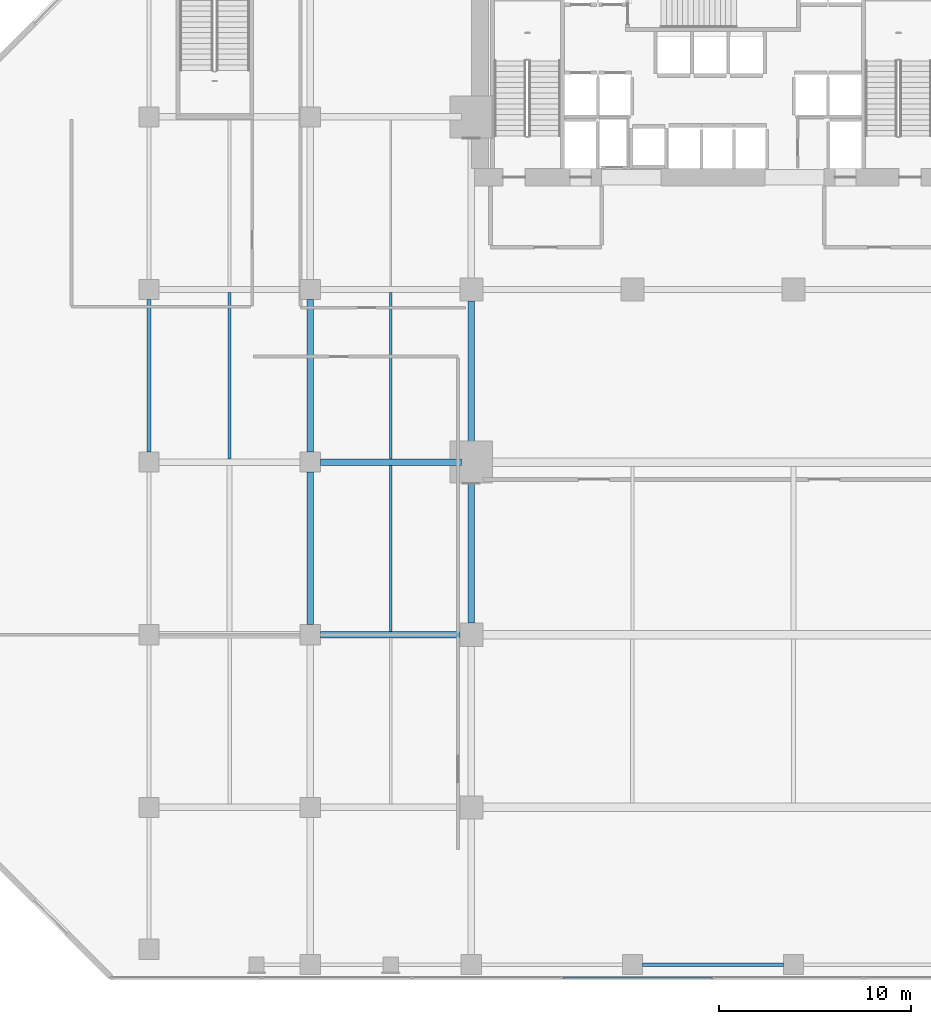
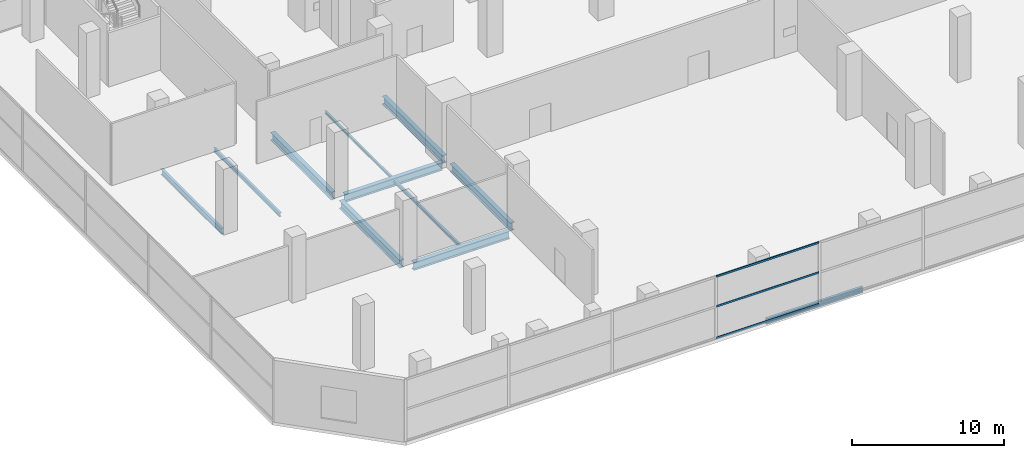
# One storey, part 12 of 40: 11 beams, 3 members, 1 element without a shape of its own.
"""IFC4 building model written with IfcOpenShell, lengths in metres."""

from ifc_helpers import new_model, si_unit, direction, frame, origin, origin_2d, place, context, subcontext, project, spatial, hollow_rectangle, i_section, extrude, material, layer, layer_set, material_profile, profile_set, type_object, element, aggregate, save


model = new_model("IFC4")

# Units and contexts
model_context = context("Model", 3, precision=1e-05, world=origin(), true_north=direction((0.0, 1.0)))
body_context = subcontext(model_context, "Body", "Model", "MODEL_VIEW")
ifc_project = project(units=[si_unit("LENGTHUNIT", "METRE"), si_unit("AREAUNIT", "SQUARE_METRE"), si_unit("VOLUMEUNIT", "CUBIC_METRE"), si_unit("PLANEANGLEUNIT", "RADIAN"), si_unit("MASSUNIT", "GRAM", prefix="KILO")], contexts=[model_context])

# Site, building, storey
site_placement = place(None, origin())
site = spatial("IfcSite", under=ifc_project, at=site_placement, CompositionType="ELEMENT")
building_placement = place(site_placement, origin())
building = spatial("IfcBuilding", under=site, at=building_placement, Name="Maruvema Waterfront Hotel and Observation Tower", CompositionType="ELEMENT")
storey_placement = place(building_placement, frame((0.0, 0.0, 5.60009765625)))
storey = spatial("IfcBuildingStorey", under=building, at=storey_placement, Name="L01", CompositionType="ELEMENT", Elevation=5.60009765625)

# Curtain wall, members
ifc_material_1 = material(Name="Anodised bronze aluminium and solar-control low-E IGU", Category="aluminium")
ifc_layer = layer(ifc_material_1, 0.159912109375, Name="Podium Waterfront Storefront Curtain Wall System CW-01")
ifc_layer_set = layer_set([ifc_layer], Name="Anodised bronze aluminium and solar-control low-E IGU")
curtain_wall_type = type_object("IfcCurtainWallType", Name="Podium Waterfront Storefront Curtain Wall System CW-01", PredefinedType="USERDEFINED", material=ifc_layer_set)
curtain_wall_placement = place(storey_placement, origin())
curtain_wall = element("IfcCurtainWall", 1, at=curtain_wall_placement, inside=storey, type_object=curtain_wall_type, Name="L01 Curtain Wall CW-L01-S", ObjectType="UNITISED CURTAIN WALL", PredefinedType="USERDEFINED")
ifc_material_2 = material(Name="Anodised architectural bronze aluminium", Category="aluminium")
ifc_material_profile_1 = material_profile(ifc_material_2, hollow_rectangle(XDim=0.070068359375, YDim=0.14990234375, WallThickness=0.00390625, at=origin_2d()), Name="ALU-T70x150")
ifc_profile_set_1 = profile_set([ifc_material_profile_1], Name="Anodised architectural bronze aluminium")
member_type = type_object("IfcMemberType", Name="Curtain Wall Horizontal Transom ALU-T70x150", PredefinedType="USERDEFINED", material=ifc_profile_set_1)
member_1_placement = place(storey_placement, frame((29.97998046875, 0.1201171875, 0.02978515625), z_axis=(1.0, 0.0, 0.0), x_axis=(0.0, 1.0, 0.0)))
member_1 = element("IfcMember", 2, at=member_1_placement, type_object=member_type, Name="CW-01 transom 4.1", ObjectType="TRANSOM", PredefinedType="USERDEFINED", context=body_context, shape_type="SweptSolid", body=[
    extrude(hollow_rectangle(XDim=0.070068359375, YDim=0.14990234375, WallThickness=0.00390625, at=origin_2d()), origin(), (0.0, 0.0, 1.0), 7.7900390625),
])
member_2_placement = place(storey_placement, frame((29.97998046875, 0.1201171875, 2.5498046875), z_axis=(1.0, 0.0, 0.0), x_axis=(0.0, 1.0, 0.0)))
member_2 = element("IfcMember", 3, at=member_2_placement, type_object=member_type, Name="CW-01 transom 4.2", ObjectType="TRANSOM", PredefinedType="USERDEFINED", context=body_context, shape_type="SweptSolid", body=[
    extrude(hollow_rectangle(XDim=0.070068359375, YDim=0.14990234375, WallThickness=0.00390625, at=origin_2d()), origin(), (0.0, 0.0, 1.0), 7.7900390625),
])
member_3_placement = place(storey_placement, frame((29.97998046875, 0.1201171875, 4.93994140625), z_axis=(1.0, 0.0, 0.0), x_axis=(0.0, 1.0, 0.0)))
member_3 = element("IfcMember", 4, at=member_3_placement, type_object=member_type, Name="CW-01 transom 4.3", ObjectType="TRANSOM", PredefinedType="USERDEFINED", context=body_context, shape_type="SweptSolid", body=[
    extrude(hollow_rectangle(XDim=0.070068359375, YDim=0.14990234375, WallThickness=0.00390625, at=origin_2d()), origin(), (0.0, 0.0, 1.0), 7.7900390625),
])
aggregate(curtain_wall, [member_1, member_2, member_3])

# Beams
ifc_material_3 = material(Name="Steel ASTM A572 Grade 50", Category="steel")
ifc_material_profile_2 = material_profile(ifc_material_3, i_section(OverallWidth=0.18994140625, OverallDepth=0.45703125, WebThickness=0.009033203125, FlangeThickness=0.014404296875, FilletRadius=0.014892578125, at=origin_2d()), Name="W460x74.0")
ifc_profile_set_2 = profile_set([ifc_material_profile_2], Name="Steel ASTM A572 Grade 50")
beam_type_1 = type_object("IfcBeamType", Name="Perimeter Spandrel Beam W460x74.0", PredefinedType="SPANDREL", material=ifc_profile_set_2)
beam_1_placement = place(storey_placement, frame((34.125, 0.800048828125, -0.508544921875), z_axis=(1.0, 0.0, 0.0), x_axis=(0.0, 1.0, 0.0)))
element("IfcBeam", 5, at=beam_1_placement, inside=storey, type_object=beam_type_1, Name="L01 Floor Girder EW-05", PredefinedType="SPANDREL", context=body_context, shape_type="SweptSolid", body=[
    extrude(i_section(OverallWidth=0.18994140625, OverallDepth=0.45703125, WebThickness=0.009033203125, FlangeThickness=0.014404296875, FilletRadius=0.014892578125, at=origin_2d()), origin(), (0.0, 0.0, 1.0), 7.35009765625),
])
beam_2_placement = place(storey_placement, frame((8.39990234375, 27.52490234375, -0.508544921875), z_axis=(0.0, 1.0, 0.0), x_axis=(-1.0, 0.0, 0.0)))
element("IfcBeam", 6, at=beam_2_placement, inside=storey, type_object=beam_type_1, Name="L01 Floor Girder NS-04", PredefinedType="SPANDREL", context=body_context, shape_type="SweptSolid", body=[
    extrude(i_section(OverallWidth=0.18994140625, OverallDepth=0.45703125, WebThickness=0.009033203125, FlangeThickness=0.014404296875, FilletRadius=0.014892578125, at=origin_2d()), origin(), (0.0, 0.0, 1.0), 7.9501953125),
])
ifc_material_4 = material(Name="Steel ASTM A572 Grade 50", Category="steel")
ifc_material_profile_3 = material_profile(ifc_material_4, i_section(OverallWidth=0.3291015625, OverallDepth=0.635009765625, WebThickness=0.017822265625, FlangeThickness=0.031005859375, FilletRadius=0.01806640625, at=origin_2d()), Name="W610x241.0")
ifc_profile_set_3 = profile_set([ifc_material_profile_3], Name="Steel ASTM A572 Grade 50")
beam_type_2 = type_object("IfcBeamType", Name="Primary Floor Girder W610x241.0", PredefinedType="BEAM", material=ifc_profile_set_3)
beam_3_placement = place(storey_placement, frame((17.324951171875, 18.0, -0.59765625), z_axis=(1.0, 0.0, 0.0), x_axis=(0.0, 1.0, 0.0)))
element("IfcBeam", 7, at=beam_3_placement, inside=storey, type_object=beam_type_2, Name="L01 Floor Girder EW-16", PredefinedType="BEAM", context=body_context, shape_type="SweptSolid", body=[
    extrude(i_section(OverallWidth=0.3291015625, OverallDepth=0.635009765625, WebThickness=0.017822265625, FlangeThickness=0.031005859375, FilletRadius=0.01806640625, at=origin_2d()), origin(), (0.0, 0.0, 1.0), 7.275146484375),
])
beam_4_placement = place(storey_placement, frame((17.324951171875, 27.0, -0.59765625), z_axis=(1.0, 0.0, 0.0), x_axis=(0.0, 1.0, 0.0)))
element("IfcBeam", 8, at=beam_4_placement, inside=storey, type_object=beam_type_2, Name="L01 Floor Girder EW-21", PredefinedType="BEAM", context=body_context, shape_type="SweptSolid", body=[
    extrude(i_section(OverallWidth=0.3291015625, OverallDepth=0.635009765625, WebThickness=0.017822265625, FlangeThickness=0.031005859375, FilletRadius=0.01806640625, at=origin_2d()), origin(), (0.0, 0.0, 1.0), 7.375),
])
for number, where, z_axis, x_axis, name in (
    (9, (16.800048828125, 18.52490234375, -0.59765625), (0.0, 1.0, 0.0), (-1.0, 0.0, 0.0), "L01 Floor Girder NS-09"),
    (10, (16.800048828125, 27.52490234375, -0.59765625), (0.0, 1.0, 0.0), (-1.0, 0.0, 0.0), "L01 Floor Girder NS-10"),
):
    element("IfcBeam", number, at=place(storey_placement, frame(where, z_axis=z_axis, x_axis=x_axis)), inside=storey, type_object=beam_type_2, Name=name, PredefinedType="BEAM", context=body_context, shape_type="SweptSolid", body=[
        extrude(i_section(OverallWidth=0.3291015625, OverallDepth=0.635009765625, WebThickness=0.017822265625, FlangeThickness=0.031005859375, FilletRadius=0.01806640625, at=origin_2d()), origin(), (0.0, 0.0, 1.0), 7.9501953125),
    ])
for number, where, z_axis, x_axis, name in (
    (11, (25.199951171875, 18.60009765625, -0.59765625), (0.0, 1.0, 0.0), (-1.0, 0.0, 0.0), "L01 Floor Girder NS-15"),
    (12, (25.199951171875, 27.5, -0.59765625), (0.0, 1.0, 0.0), (-1.0, 0.0, 0.0), "L01 Floor Girder NS-16"),
):
    element("IfcBeam", number, at=place(storey_placement, frame(where, z_axis=z_axis, x_axis=x_axis)), inside=storey, type_object=beam_type_2, Name=name, PredefinedType="BEAM", context=body_context, shape_type="SweptSolid", body=[
        extrude(i_section(OverallWidth=0.3291015625, OverallDepth=0.635009765625, WebThickness=0.017822265625, FlangeThickness=0.031005859375, FilletRadius=0.01806640625, at=origin_2d()), origin(), (0.0, 0.0, 1.0), 7.89990234375),
    ])
ifc_material_5 = material(Name="Steel ASTM A572 Grade 50", Category="steel")
ifc_material_profile_4 = material_profile(ifc_material_5, i_section(OverallWidth=0.133056640625, OverallDepth=0.20703125, WebThickness=0.005859375, FlangeThickness=0.00830078125, FilletRadius=0.010009765625, at=origin_2d()), Name="W200x26.6")
ifc_profile_set_4 = profile_set([ifc_material_profile_4], Name="Steel ASTM A572 Grade 50")
beam_type_3 = type_object("IfcBeamType", Name="Secondary Floor Joist W200x26.6", PredefinedType="JOIST", material=ifc_profile_set_4)
beam_5_placement = place(storey_placement, frame((21.0, 27.16455078125, -0.383544921875), z_axis=(0.0, 1.0, 0.0), x_axis=(-1.0, 0.0, 0.0)))
element("IfcBeam", 13, at=beam_5_placement, inside=storey, type_object=beam_type_3, Name="L01 Secondary Floor Joist JS-07", PredefinedType="JOIST", context=body_context, shape_type="SweptSolid", body=[
    extrude(i_section(OverallWidth=0.133056640625, OverallDepth=0.20703125, WebThickness=0.005859375, FlangeThickness=0.00830078125, FilletRadius=0.010009765625, at=origin_2d()), origin(), (0.0, 0.0, 1.0), 8.6708984375),
])
ifc_material_6 = material(Name="Steel ASTM A572 Grade 50", Category="steel")
ifc_material_profile_5 = material_profile(ifc_material_6, i_section(OverallWidth=0.14599609375, OverallDepth=0.258056640625, WebThickness=0.006103515625, FlangeThickness=0.009033203125, FilletRadius=0.012939453125, at=origin_2d()), Name="W250x32.7")
ifc_profile_set_5 = profile_set([ifc_material_profile_5], Name="Steel ASTM A572 Grade 50")
beam_type_4 = type_object("IfcBeamType", Name="Secondary Floor Joist W250x32.7", PredefinedType="JOIST", material=ifc_profile_set_5)
beam_6_placement = place(storey_placement, frame((21.0, 18.16455078125, -0.4091796875), z_axis=(0.0, 1.0, 0.0), x_axis=(-1.0, 0.0, 0.0)))
element("IfcBeam", 14, at=beam_6_placement, inside=storey, type_object=beam_type_4, Name="L01 Secondary Floor Joist JS-06", PredefinedType="JOIST", context=body_context, shape_type="SweptSolid", body=[
    extrude(i_section(OverallWidth=0.14599609375, OverallDepth=0.258056640625, WebThickness=0.006103515625, FlangeThickness=0.009033203125, FilletRadius=0.012939453125, at=origin_2d()), origin(), (0.0, 0.0, 1.0), 8.6708984375),
])
ifc_material_7 = material(Name="Steel ASTM A572 Grade 50", Category="steel")
ifc_material_profile_6 = material_profile(ifc_material_7, i_section(OverallWidth=0.1669921875, OverallDepth=0.31689453125, WebThickness=0.007568359375, FlangeThickness=0.01318359375, FilletRadius=0.012939453125, at=origin_2d()), Name="W310x52.0")
ifc_profile_set_6 = profile_set([ifc_material_profile_6], Name="Steel ASTM A572 Grade 50")
beam_type_5 = type_object("IfcBeamType", Name="Secondary Floor Joist W310x52.0", PredefinedType="JOIST", material=ifc_profile_set_6)
beam_7_placement = place(storey_placement, frame((12.60009765625, 27.16455078125, -0.4384765625), z_axis=(0.0, 1.0, 0.0), x_axis=(-1.0, 0.0, 0.0)))
element("IfcBeam", 15, at=beam_7_placement, inside=storey, type_object=beam_type_5, Name="L01 Secondary Floor Joist JS-03", PredefinedType="JOIST", context=body_context, shape_type="SweptSolid", body=[
    extrude(i_section(OverallWidth=0.1669921875, OverallDepth=0.31689453125, WebThickness=0.007568359375, FlangeThickness=0.01318359375, FilletRadius=0.012939453125, at=origin_2d()), origin(), (0.0, 0.0, 1.0), 8.6708984375),
])

save(model, "model.ifc")
